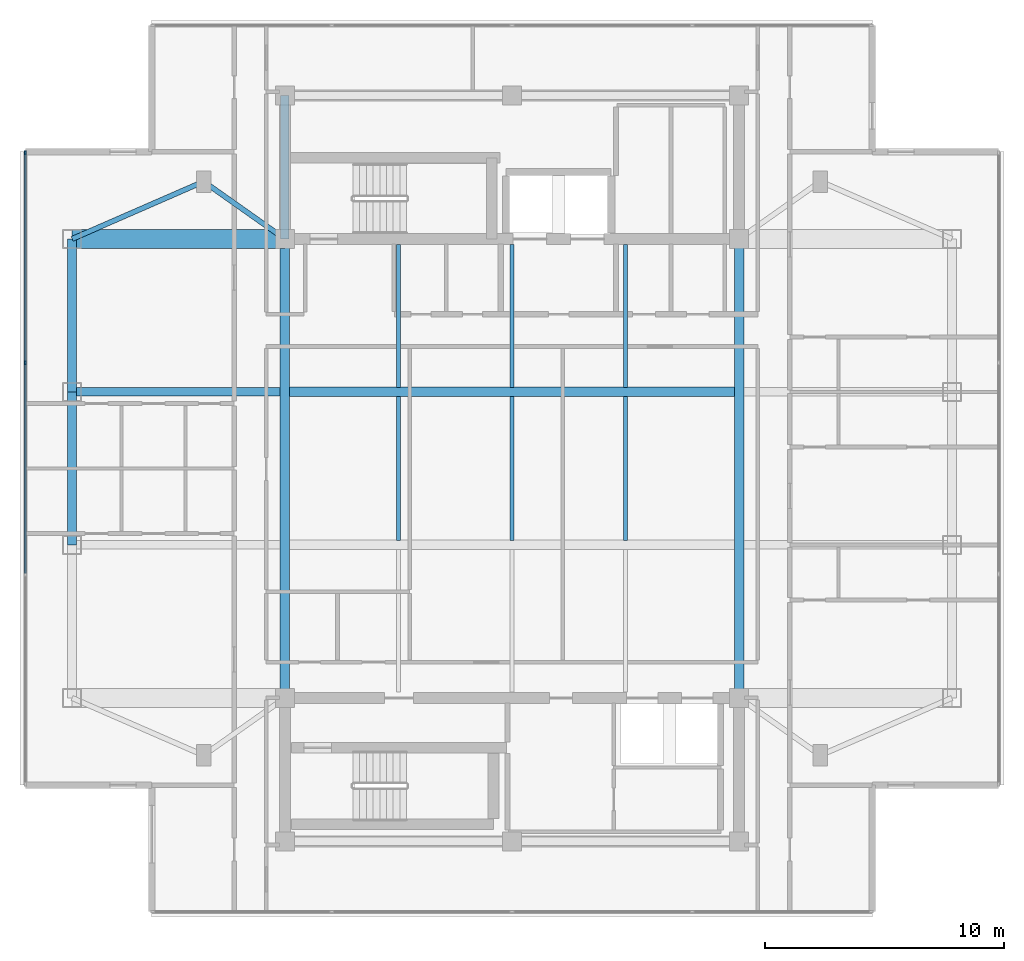
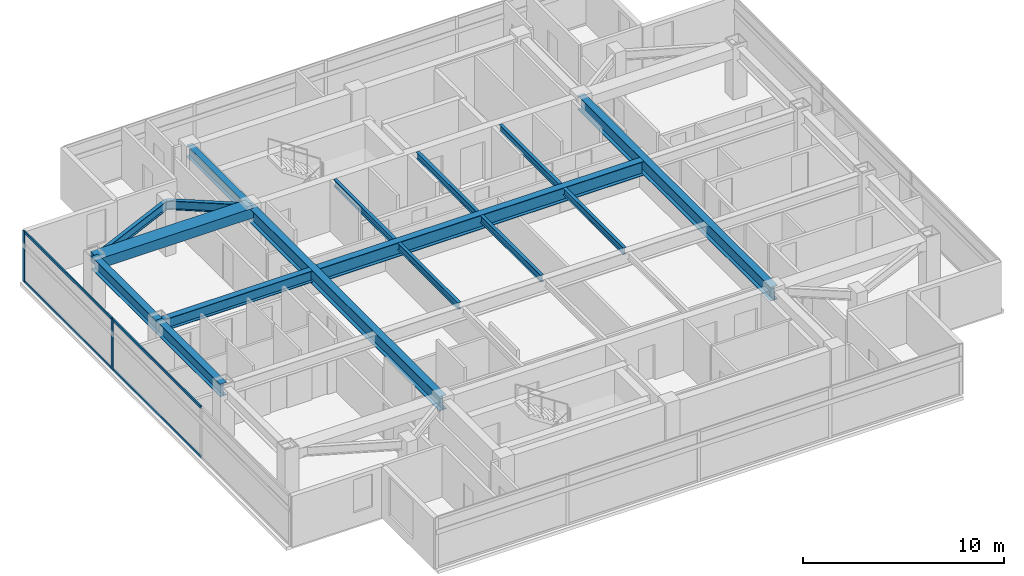
# One storey, part 3 of 12: 16 beams, 6 members, 1 element without a shape of its own.
"""IFC4 building model written with IfcOpenShell, lengths in metres."""

from ifc_helpers import new_model, si_unit, direction, frame, origin, origin_2d, place, context, subcontext, project, spatial, rectangle, i_section, extrude, material, material_profile, profile_set, type_object, element, aggregate, save


model = new_model("IFC4")

# Units and contexts
model_context = context("Model", 3, precision=1e-05, world=origin(), true_north=direction((0.0, 1.0)))
body_context = subcontext(model_context, "Body", "Model", "MODEL_VIEW")
ifc_project = project(units=[si_unit("LENGTHUNIT", "METRE"), si_unit("AREAUNIT", "SQUARE_METRE"), si_unit("VOLUMEUNIT", "CUBIC_METRE"), si_unit("PLANEANGLEUNIT", "RADIAN"), si_unit("MASSUNIT", "GRAM", prefix="KILO")], contexts=[model_context])

# Site, building, storey
site_placement = place(None, origin())
site = spatial("IfcSite", under=ifc_project, at=site_placement, CompositionType="ELEMENT")
building_placement = place(site_placement, origin())
building = spatial("IfcBuilding", under=site, at=building_placement, Name="Mirazonda Arch Towers", CompositionType="ELEMENT")
storey_placement = place(building_placement, frame((0.0, 0.0, 222.699951171875)))
storey = spatial("IfcBuildingStorey", under=building, at=storey_placement, Name="L63", CompositionType="ELEMENT", Elevation=222.699951171875)

# Beams
ifc_material_1 = material(Name="Steel ASTM A992 Grade 50", Category="steel")
ifc_material_profile_1 = material_profile(ifc_material_1, i_section(OverallWidth=0.381103515625, OverallDepth=0.77294921875, WebThickness=0.0166015625, FlangeThickness=0.027099609375, at=origin_2d()), Name="W30X173")
ifc_profile_set_1 = profile_set([ifc_material_profile_1], Name="Steel ASTM A992 Grade 50")
beam_type_1 = type_object("IfcBeamType", Name="BM-EXT-W30X173", PredefinedType="USERDEFINED", material=ifc_profile_set_1)
beam_1_placement = place(storey_placement, frame((2.10009765625, 24.800048828125, 2.713623046875), z_axis=(0.0, 1.0, 0.0), x_axis=(-1.0, 0.0, 0.0)))
element("IfcBeam", 1, at=beam_1_placement, inside=storey, type_object=beam_type_1, Name="L63 Floor Beam BM-T1-L63-NS-W-24", ObjectType="GIRDER", PredefinedType="USERDEFINED", context=body_context, shape_type="SweptSolid", body=[
    extrude(i_section(OverallWidth=0.381103515625, OverallDepth=0.77294921875, WebThickness=0.0166015625, FlangeThickness=0.027099609375, at=origin_2d()), origin(), (0.0, 0.0, 1.0), 6.39990234375),
])
beam_2_placement = place(storey_placement, frame((2.10009765625, 31.199951171875, 2.713623046875), z_axis=(0.0, 1.0, 0.0), x_axis=(-1.0, 0.0, 0.0)))
element("IfcBeam", 2, at=beam_2_placement, inside=storey, type_object=beam_type_1, Name="L63 Floor Beam BM-T1-L63-NS-W-31", ObjectType="GIRDER", PredefinedType="USERDEFINED", context=body_context, shape_type="SweptSolid", body=[
    extrude(i_section(OverallWidth=0.381103515625, OverallDepth=0.77294921875, WebThickness=0.0166015625, FlangeThickness=0.027099609375, at=origin_2d()), origin(), (0.0, 0.0, 1.0), 6.400146484375),
])
ifc_material_profile_2 = material_profile(ifc_material_1, i_section(OverallWidth=0.180908203125, OverallDepth=0.4169921875, WebThickness=0.010986328125, FlangeThickness=0.018310546875, at=origin_2d()), Name="W16X57")
ifc_profile_set_2 = profile_set([ifc_material_profile_2], Name="Steel ASTM A992 Grade 50")
beam_type_2 = type_object("IfcBeamType", Name="BM-INT-W16X57", PredefinedType="JOIST", material=ifc_profile_set_2)
beam_3_placement = place(storey_placement, frame((15.75, 31.39599609375, 2.8916015625), z_axis=(0.0, 1.0, 0.0), x_axis=(-1.0, 0.0, 0.0)))
element("IfcBeam", 3, at=beam_3_placement, inside=storey, type_object=beam_type_2, Name="L63 Floor Beam BM-T1-L63-J-157-31", PredefinedType="JOIST", context=body_context, shape_type="SweptSolid", body=[
    extrude(i_section(OverallWidth=0.180908203125, OverallDepth=0.4169921875, WebThickness=0.010986328125, FlangeThickness=0.018310546875, at=origin_2d()), origin(), (0.0, 0.0, 1.0), 5.964111328125),
])
beam_4_placement = place(storey_placement, frame((15.75, 24.99609375, 2.8916015625), z_axis=(0.0, 1.0, 0.0), x_axis=(-1.0, 0.0, 0.0)))
element("IfcBeam", 4, at=beam_4_placement, inside=storey, type_object=beam_type_2, Name="L63 Floor Beam BM-T1-L63-J-157-24", PredefinedType="JOIST", context=body_context, shape_type="SweptSolid", body=[
    extrude(i_section(OverallWidth=0.180908203125, OverallDepth=0.4169921875, WebThickness=0.010986328125, FlangeThickness=0.018310546875, at=origin_2d()), origin(), (0.0, 0.0, 1.0), 6.0078125),
])
beam_5_placement = place(storey_placement, frame((20.5, 31.39599609375, 2.8916015625), z_axis=(0.0, 1.0, 0.0), x_axis=(-1.0, 0.0, 0.0)))
element("IfcBeam", 5, at=beam_5_placement, inside=storey, type_object=beam_type_2, Name="L63 Floor Beam BM-T1-L63-J-205-31", PredefinedType="JOIST", context=body_context, shape_type="SweptSolid", body=[
    extrude(i_section(OverallWidth=0.180908203125, OverallDepth=0.4169921875, WebThickness=0.010986328125, FlangeThickness=0.018310546875, at=origin_2d()), origin(), (0.0, 0.0, 1.0), 5.964111328125),
])
beam_6_placement = place(storey_placement, frame((20.5, 24.99609375, 2.8916015625), z_axis=(0.0, 1.0, 0.0), x_axis=(-1.0, 0.0, 0.0)))
element("IfcBeam", 6, at=beam_6_placement, inside=storey, type_object=beam_type_2, Name="L63 Floor Beam BM-T1-L63-J-205-24", PredefinedType="JOIST", context=body_context, shape_type="SweptSolid", body=[
    extrude(i_section(OverallWidth=0.180908203125, OverallDepth=0.4169921875, WebThickness=0.010986328125, FlangeThickness=0.018310546875, at=origin_2d()), origin(), (0.0, 0.0, 1.0), 6.0078125),
])
beam_7_placement = place(storey_placement, frame((25.25, 31.39599609375, 2.8916015625), z_axis=(0.0, 1.0, 0.0), x_axis=(-1.0, 0.0, 0.0)))
element("IfcBeam", 7, at=beam_7_placement, inside=storey, type_object=beam_type_2, Name="L63 Floor Beam BM-T1-L63-J-252-31", PredefinedType="JOIST", context=body_context, shape_type="SweptSolid", body=[
    extrude(i_section(OverallWidth=0.180908203125, OverallDepth=0.4169921875, WebThickness=0.010986328125, FlangeThickness=0.018310546875, at=origin_2d()), origin(), (0.0, 0.0, 1.0), 5.964111328125),
])
beam_8_placement = place(storey_placement, frame((25.25, 24.99609375, 2.8916015625), z_axis=(0.0, 1.0, 0.0), x_axis=(-1.0, 0.0, 0.0)))
element("IfcBeam", 8, at=beam_8_placement, inside=storey, type_object=beam_type_2, Name="L63 Floor Beam BM-T1-L63-J-252-24", PredefinedType="JOIST", context=body_context, shape_type="SweptSolid", body=[
    extrude(i_section(OverallWidth=0.180908203125, OverallDepth=0.4169921875, WebThickness=0.010986328125, FlangeThickness=0.018310546875, at=origin_2d()), origin(), (0.0, 0.0, 1.0), 6.0078125),
])
ifc_material_profile_3 = material_profile(ifc_material_1, i_section(OverallWidth=0.214111328125, OverallDepth=0.549072265625, WebThickness=0.0146484375, FlangeThickness=0.023681640625, at=origin_2d()), Name="W21X93")
ifc_profile_set_3 = profile_set([ifc_material_profile_3], Name="Steel ASTM A992 Grade 50")
beam_type_3 = type_object("IfcBeamType", Name="BM-INT-W21X93", PredefinedType="BEAM", material=ifc_profile_set_3)
beam_9_placement = place(storey_placement, frame((7.60009765625, 40.0, 2.825439453125), z_axis=(0.816971114901, -0.576678591087, 0.0), x_axis=(0.576678591087, 0.816971114901, 0.0)))
element("IfcBeam", 9, at=beam_9_placement, inside=storey, type_object=beam_type_3, Name="L63 Floor Beam BM-T1-L63-PL-NW1", PredefinedType="BEAM", context=body_context, shape_type="SweptSolid", body=[
    extrude(i_section(OverallWidth=0.214111328125, OverallDepth=0.549072265625, WebThickness=0.0146484375, FlangeThickness=0.023681640625, at=origin_2d()), origin(), (0.0, 0.0, 1.0), 4.16162109375),
])
beam_10_placement = place(storey_placement, frame((7.60009765625, 40.0, 2.825439453125), z_axis=(-0.916545343703, -0.399930785183, 0.0), x_axis=(0.399930785183, -0.916545343703, 0.0)))
element("IfcBeam", 10, at=beam_10_placement, inside=storey, type_object=beam_type_3, Name="L63 Floor Beam BM-T1-L63-PL-NW2", PredefinedType="BEAM", context=body_context, shape_type="SweptSolid", body=[
    extrude(i_section(OverallWidth=0.214111328125, OverallDepth=0.549072265625, WebThickness=0.0146484375, FlangeThickness=0.023681640625, at=origin_2d()), origin(), (0.0, 0.0, 1.0), 6.000732421875),
])
ifc_material_profile_4 = material_profile(ifc_material_1, i_section(OverallWidth=0.35498046875, OverallDepth=0.696044921875, WebThickness=0.015380859375, FlangeThickness=0.02490234375, at=origin_2d()), Name="W27X146")
ifc_profile_set_4 = profile_set([ifc_material_profile_4], Name="Steel ASTM A992 Grade 50")
beam_type_4 = type_object("IfcBeamType", Name="BM-INT-W27X146", PredefinedType="BEAM", material=ifc_profile_set_4)
beam_11_placement = place(storey_placement, frame((2.10009765625, 31.199951171875, 2.751953125), z_axis=(1.0, 0.0, 0.0), x_axis=(0.0, 1.0, 0.0)))
element("IfcBeam", 11, at=beam_11_placement, inside=storey, type_object=beam_type_4, Name="L63 Floor Beam BM-T1-L63-GW3", PredefinedType="BEAM", context=body_context, shape_type="SweptSolid", body=[
    extrude(i_section(OverallWidth=0.35498046875, OverallDepth=0.696044921875, WebThickness=0.015380859375, FlangeThickness=0.02490234375, at=origin_2d()), origin(), (0.0, 0.0, 1.0), 8.699951171875),
])
beam_12_placement = place(storey_placement, frame((11.0, 37.60009765625, 2.751953125), z_axis=(0.0, 1.0, 0.0), x_axis=(-1.0, 0.0, 0.0)))
element("IfcBeam", 12, at=beam_12_placement, inside=storey, type_object=beam_type_4, Name="L63 Floor Beam BM-T1-L63-CNW", PredefinedType="BEAM", context=body_context, shape_type="SweptSolid", body=[
    extrude(i_section(OverallWidth=0.35498046875, OverallDepth=0.696044921875, WebThickness=0.015380859375, FlangeThickness=0.02490234375, at=origin_2d()), origin(), (0.0, 0.0, 1.0), 6.0),
])
ifc_material_profile_5 = material_profile(ifc_material_1, i_section(OverallWidth=0.39990234375, OverallDepth=0.85595703125, WebThickness=0.018310546875, FlangeThickness=0.029296875, at=origin_2d()), Name="W33X201")
ifc_profile_set_5 = profile_set([ifc_material_profile_5], Name="Steel ASTM A992 Grade 50")
beam_type_5 = type_object("IfcBeamType", Name="BM-INT-W33X201", PredefinedType="USERDEFINED", material=ifc_profile_set_5)
beam_13_placement = place(storey_placement, frame((11.199951171875, 31.199951171875, 2.672119140625), z_axis=(1.0, 0.0, 0.0), x_axis=(0.0, 1.0, 0.0)))
element("IfcBeam", 13, at=beam_13_placement, inside=storey, type_object=beam_type_5, Name="L63 Floor Beam BM-T1-L63-GC3", ObjectType="GIRDER", PredefinedType="USERDEFINED", context=body_context, shape_type="SweptSolid", body=[
    extrude(i_section(OverallWidth=0.39990234375, OverallDepth=0.85595703125, WebThickness=0.018310546875, FlangeThickness=0.029296875, at=origin_2d()), origin(), (0.0, 0.0, 1.0), 18.60009765625),
])
for number, where, z_axis, x_axis, name in (
    (14, (11.0, 18.39990234375, 2.672119140625), (0.0, 1.0, 0.0), (-1.0, 0.0, 0.0), "L63 Floor Beam BM-T1-L63-NS-CW-FULL"),
    (15, (30.0, 18.39990234375, 2.672119140625), (0.0, 1.0, 0.0), (-1.0, 0.0, 0.0), "L63 Floor Beam BM-T1-L63-NS-CE-FULL"),
):
    element("IfcBeam", number, at=place(storey_placement, frame(where, z_axis=z_axis, x_axis=x_axis)), inside=storey, type_object=beam_type_5, Name=name, ObjectType="GIRDER", PredefinedType="USERDEFINED", context=body_context, shape_type="SweptSolid", body=[
        extrude(i_section(OverallWidth=0.39990234375, OverallDepth=0.85595703125, WebThickness=0.018310546875, FlangeThickness=0.029296875, at=origin_2d()), origin(), (0.0, 0.0, 1.0), 19.2001953125),
    ])
ifc_material_2 = material(Name="Concrete C60/75", Category="concrete")
ifc_material_profile_6 = material_profile(ifc_material_2, rectangle(XDim=0.800048828125, YDim=0.60009765625, at=origin_2d()), Name="RCCB800x600")
ifc_profile_set_6 = profile_set([ifc_material_profile_6], Name="Concrete C60/75")
beam_type_6 = type_object("IfcBeamType", Name="CB-INT-RCCB800x600", PredefinedType="SPANDREL", material=ifc_profile_set_6)
beam_14_placement = place(storey_placement, frame((2.10009765625, 37.60009765625, 2.800048828125), z_axis=(1.0, 0.0, 0.0), x_axis=(0.0, 1.0, 0.0)))
element("IfcBeam", 16, at=beam_14_placement, inside=storey, type_object=beam_type_6, Name="L63 Floor Beam CBC-T1-L63-NW", PredefinedType="SPANDREL", context=body_context, shape_type="SweptSolid", body=[
    extrude(rectangle(XDim=0.800048828125, YDim=0.60009765625, at=origin_2d()), origin(), (0.0, 0.0, 1.0), 8.89990234375),
])

# Curtain wall, members
ifc_material_3 = material(Name="Anodised Aluminium and Low-E Glass", Category="aluminium")
curtain_wall_type = type_object("IfcCurtainWallType", Name="CW-RES-UNIT", PredefinedType="NOTDEFINED", material=ifc_material_3)
curtain_wall_placement = place(storey_placement, origin())
curtain_wall = element("IfcCurtainWall", 17, at=curtain_wall_placement, inside=storey, type_object=curtain_wall_type, Name="L63 T1 W Facade CW-L63-T1-W", PredefinedType="NOTDEFINED")
ifc_material_4 = material(Name="Anodised Aluminium Alloy", Category="aluminium")
ifc_material_profile_7 = material_profile(ifc_material_4, rectangle(XDim=0.074951171875, YDim=0.175048828125, at=origin_2d()), Name="ALU-MULL-75x175")
ifc_profile_set_7 = profile_set([ifc_material_profile_7], Name="Anodised Aluminium Alloy")
member_type_1 = type_object("IfcMemberType", Name="MULL-CW-RES-UNIT", PredefinedType="MULLION", material=ifc_profile_set_7)
member_1_placement = place(storey_placement, frame((0.139892578125, 41.21044921875, 0.0), z_axis=(0.0, 0.0, 1.0), x_axis=(1.0, 0.0, 0.0)))
member_1 = element("IfcMember", 18, at=member_1_placement, type_object=member_type_1, Name="CW-104 mullion 1", PredefinedType="MULLION", context=body_context, shape_type="SweptSolid", body=[
    extrude(rectangle(XDim=0.074951171875, YDim=0.175048828125, at=origin_2d()), origin(), (0.0, 0.0, 1.0), 3.080078125),
])
member_2_placement = place(storey_placement, frame((0.139892578125, 32.416015625, 0.0), z_axis=(0.0, 0.0, 1.0), x_axis=(1.0, 0.0, 0.0)))
member_2 = element("IfcMember", 19, at=member_2_placement, type_object=member_type_1, Name="CW-104 mullion 2", PredefinedType="MULLION", context=body_context, shape_type="SweptSolid", body=[
    extrude(rectangle(XDim=0.074951171875, YDim=0.175048828125, at=origin_2d()), origin(), (0.0, 0.0, 1.0), 3.080078125),
])
ifc_material_profile_8 = material_profile(ifc_material_4, rectangle(XDim=0.074951171875, YDim=0.155029296875, at=origin_2d()), Name="ALU-TRAN-75x155")
ifc_profile_set_8 = profile_set([ifc_material_profile_8], Name="Anodised Aluminium Alloy")
member_type_2 = type_object("IfcMemberType", Name="TRAN-CW-RES-UNIT", PredefinedType="USERDEFINED", material=ifc_profile_set_8)
member_3_placement = place(storey_placement, frame((0.139892578125, 41.173095703125, 0.03759765625), z_axis=(0.0, -1.0, 0.0), x_axis=(1.0, 0.0, 0.0)))
member_3 = element("IfcMember", 20, at=member_3_placement, type_object=member_type_2, Name="CW-104 transom 1.1", ObjectType="TRANSOM", PredefinedType="USERDEFINED", context=body_context, shape_type="SweptSolid", body=[
    extrude(rectangle(XDim=0.074951171875, YDim=0.155029296875, at=origin_2d()), origin(), (0.0, 0.0, 1.0), 8.719482421875),
])
member_4_placement = place(storey_placement, frame((0.139892578125, 41.173095703125, 3.04248046875), z_axis=(0.0, -1.0, 0.0), x_axis=(1.0, 0.0, 0.0)))
member_4 = element("IfcMember", 21, at=member_4_placement, type_object=member_type_2, Name="CW-104 transom 1.2", ObjectType="TRANSOM", PredefinedType="USERDEFINED", context=body_context, shape_type="SweptSolid", body=[
    extrude(rectangle(XDim=0.074951171875, YDim=0.155029296875, at=origin_2d()), origin(), (0.0, 0.0, 1.0), 8.719482421875),
])
member_5_placement = place(storey_placement, frame((0.139892578125, 32.37841796875, 0.03759765625), z_axis=(0.0, -1.0, 0.0), x_axis=(1.0, 0.0, 0.0)))
member_5 = element("IfcMember", 22, at=member_5_placement, type_object=member_type_2, Name="CW-104 transom 2.1", ObjectType="TRANSOM", PredefinedType="USERDEFINED", context=body_context, shape_type="SweptSolid", body=[
    extrude(rectangle(XDim=0.074951171875, YDim=0.155029296875, at=origin_2d()), origin(), (0.0, 0.0, 1.0), 8.7568359375),
])
member_6_placement = place(storey_placement, frame((0.139892578125, 32.37841796875, 3.04248046875), z_axis=(0.0, -1.0, 0.0), x_axis=(1.0, 0.0, 0.0)))
member_6 = element("IfcMember", 23, at=member_6_placement, type_object=member_type_2, Name="CW-104 transom 2.2", ObjectType="TRANSOM", PredefinedType="USERDEFINED", context=body_context, shape_type="SweptSolid", body=[
    extrude(rectangle(XDim=0.074951171875, YDim=0.155029296875, at=origin_2d()), origin(), (0.0, 0.0, 1.0), 8.7568359375),
])
aggregate(curtain_wall, [member_1, member_2, member_3, member_4, member_5, member_6])

save(model, "model.ifc")
